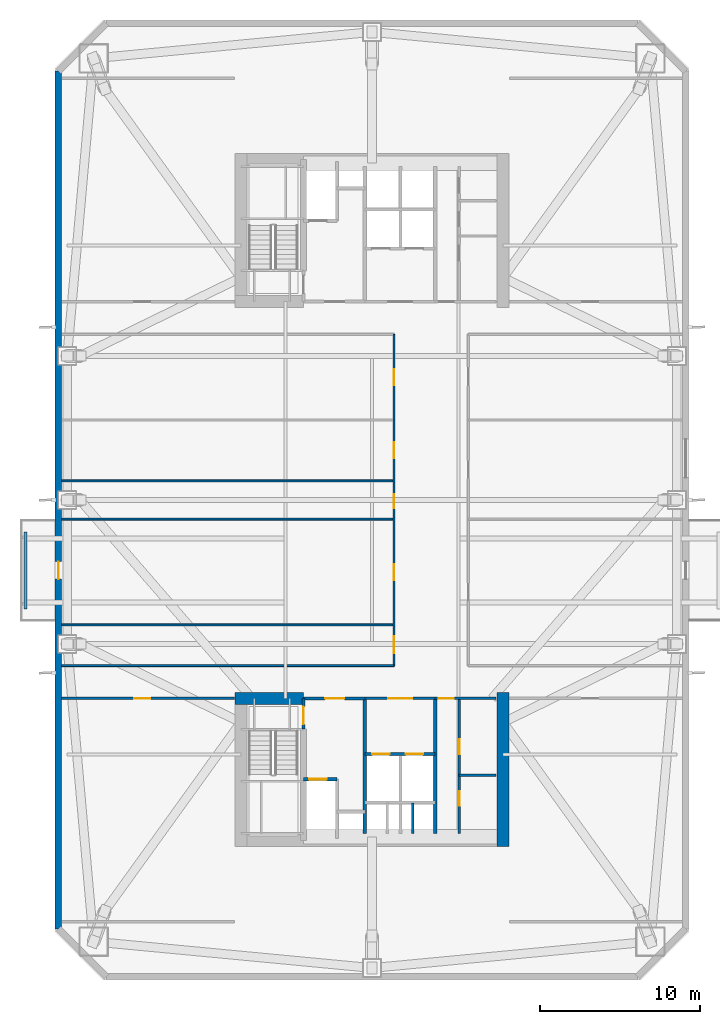
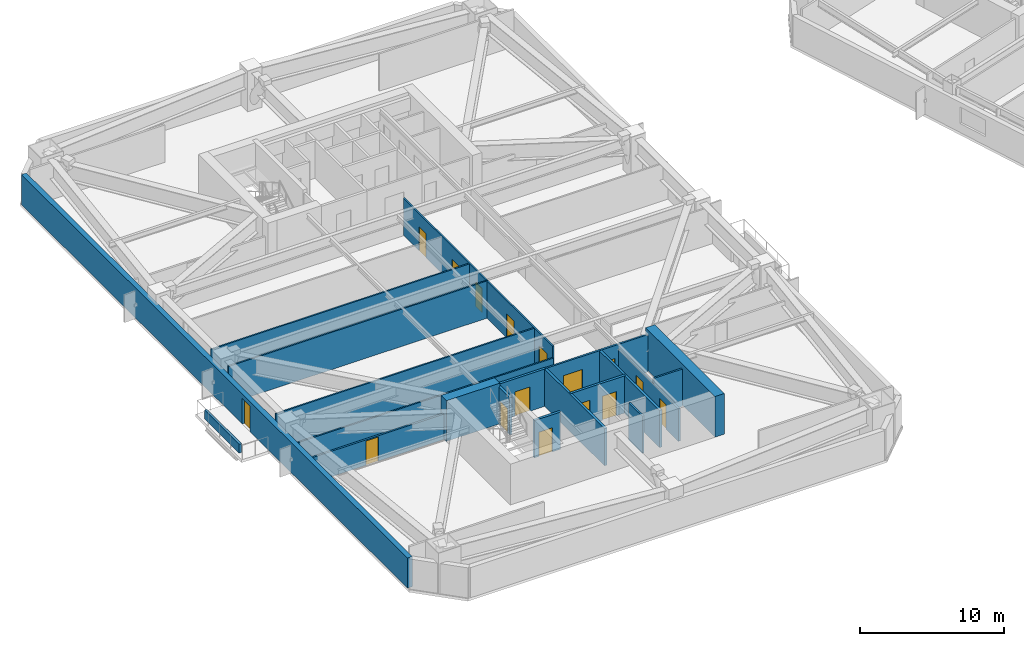
# One storey, part 6 of 19: 21 walls, 16 doors, 16 openings.
"""IFC4 building model written with IfcOpenShell, lengths in metres."""

from ifc_helpers import new_model, si_unit, direction, frame, frame_2d, origin, place, context, subcontext, project, spatial, rectangle, extrude, material, layer, layer_set, type_object, element, fill, save


model = new_model("IFC4")

# Units and contexts
model_context = context("Model", 3, precision=1e-05, world=origin(), true_north=direction((0.0, 1.0)))
body_context = subcontext(model_context, "Body", "Model", "MODEL_VIEW")
ifc_project = project(units=[si_unit("LENGTHUNIT", "METRE"), si_unit("AREAUNIT", "SQUARE_METRE"), si_unit("VOLUMEUNIT", "CUBIC_METRE"), si_unit("PLANEANGLEUNIT", "RADIAN"), si_unit("MASSUNIT", "GRAM", prefix="KILO")], contexts=[model_context])

# Site, building, storey
site_placement = place(None, origin())
site = spatial("IfcSite", under=ifc_project, at=site_placement, CompositionType="ELEMENT")
building_placement = place(site_placement, origin())
building = spatial("IfcBuilding", under=site, at=building_placement, Name="Qiaolan Cultural Towers", CompositionType="ELEMENT")
storey_placement = place(building_placement, frame((0.0, 0.0, 88.550048828125)))
storey = spatial("IfcBuildingStorey", under=building, at=storey_placement, Name="L22", CompositionType="ELEMENT", Elevation=88.550048828125)

# Walls
ifc_material_1 = material(Name="Concrete C60", Category="concrete")
ifc_layer_1 = layer(ifc_material_1, 0.75)
ifc_layer_set_1 = layer_set([ifc_layer_1], Name="Concrete C60")
wall_type_1 = type_object("IfcWallType", Name="WL-CORE-750", PredefinedType="SHEAR", material=ifc_layer_set_1)
wall_1_placement = place(storey_placement, frame((38.199951171875, 21.97509765625, 0.0), z_axis=(0.0, 0.0, 1.0), x_axis=(0.0, -1.0, 0.0)))
element("IfcWall", 1, at=wall_1_placement, inside=storey, type_object=wall_type_1, Name="L22 T1-CS East Core Shear Wall", PredefinedType="SHEAR", context=body_context, shape_type="SweptSolid", body=[
    extrude(rectangle(XDim=9.630126953125, YDim=0.75, at=frame_2d((4.81494140625, 0.0))), origin(), (0.0, 0.0, 1.0), 3.449951171875),
])
wall_2_placement = place(storey_placement, frame((21.425048828125, 21.60009765625, 0.0), z_axis=(0.0, 0.0, 1.0), x_axis=(1.0, 0.0, 0.0)))
element("IfcWall", 2, at=wall_2_placement, inside=storey, type_object=wall_type_1, Name="L22 T1-CS Stair Front Shear Wall", PredefinedType="SHEAR", context=body_context, shape_type="SweptSolid", body=[
    extrude(rectangle(XDim=4.294921875, YDim=0.75, at=frame_2d((2.1474609375, 0.0))), origin(), (0.0, 0.0, 1.0), 3.449951171875),
])

# Wall, opening, door
ifc_material_2 = material(Name="Precast Concrete C50 Honed Stone Pier", Category="masonry")
ifc_layer_2 = layer(ifc_material_2, 0.39990234375)
ifc_layer_set_2 = layer_set([ifc_layer_2], Name="Precast Concrete C50 Honed Stone Pier")
wall_type_2 = type_object("IfcWallType", Name="WL-EXT-PIER-400", PredefinedType="SOLIDWALL", material=ifc_layer_set_2)
wall_3_placement = place(storey_placement, frame((10.39990234375, 7.199951171875, 0.0), z_axis=(0.0, 0.0, 1.0), x_axis=(0.0, 1.0, 0.0)))
wall_3 = element("IfcWall", 3, at=wall_3_placement, inside=storey, type_object=wall_type_2, Name="L22 West Tower Precast Pier Facade Wall F1", PredefinedType="SOLIDWALL", context=body_context, shape_type="SweptSolid", body=[
    extrude(rectangle(XDim=53.60009765625, YDim=0.39990234375, at=frame_2d((26.800048828125, 0.0))), origin(), (0.0, 0.0, 1.0), 2.550048828125),
])
opening_1_placement = place(wall_3_placement, frame((21.85009765625, 0.0, 0.0)))
opening_1 = element("IfcOpeningElement", 4, at=opening_1_placement, cuts=wall_3, Name="Opening BD-01", PredefinedType="OPENING", context=body_context, shape_type="SweptSolid", body=[
    extrude(rectangle(XDim=1.10009765625, YDim=2.14990234375, at=frame_2d((0.550048828125, 1.074951171875))), frame((0.0, 0.2099609375, 0.0), z_axis=(0.0, -1.0, 0.0), x_axis=(1.0, 0.0, 0.0)), (0.0, 0.0, 1.0), 0.419921875),
])
ifc_material_3 = material(Name="Thermally Broken Aluminium Glazed Terrace Door", Category="aluminium")
door_type_1 = type_object("IfcDoorType", Name="DR-BAL-1100", OperationType="NOTDEFINED", PredefinedType="DOOR", material=ifc_material_3)
door_1_placement = place(opening_1_placement, origin())
door_1 = element("IfcDoor", 5, at=door_1_placement, inside=storey, type_object=door_type_1, Name="L22 T1 West Tree Balcony Door", OperationType="SINGLE_SWING_LEFT", OverallHeight=2.14990234375, OverallWidth=1.10009765625, PredefinedType="DOOR", context=body_context, shape_type="SweptSolid", body=[
    extrude(rectangle(XDim=1.10009765625, YDim=2.14990234375, at=frame_2d((0.550048828125, 1.074951171875))), frame((0.0, 0.02490234375, 0.0), z_axis=(0.0, -1.0, 0.0), x_axis=(1.0, 0.0, 0.0)), (0.0, 0.0, 1.0), 0.050048828125),
])
fill(opening_1, door_1)

ifc_material_4 = material(Name="Concrete C35 Fire Wall", Category="concrete")
ifc_layer_3 = layer(ifc_material_4, 0.199951171875)
ifc_layer_set_3 = layer_set([ifc_layer_3], Name="Concrete C35 Fire Wall")
wall_type_3 = type_object("IfcWallType", Name="WL-FIRE-200", PredefinedType="PARTITIONING", material=ifc_layer_set_3)
wall_4_placement = place(storey_placement, frame((25.719970703125, 21.60009765625, 0.0), z_axis=(0.0, 0.0, 1.0), x_axis=(0.0, -1.0, 0.0)))
wall_4 = element("IfcWall", 6, at=wall_4_placement, inside=storey, type_object=wall_type_3, Name="L22 T1-CS Smokeproof Stair Entry Wall", PredefinedType="PARTITIONING", context=body_context, shape_type="SweptSolid", body=[
    extrude(rectangle(XDim=1.900146484375, YDim=0.199951171875, at=frame_2d((0.9501953125, 0.0))), origin(), (0.0, 0.0, 1.0), 3.155029296875),
])
opening_2_placement = place(wall_4_placement, frame((0.52001953125, 0.0, 0.0)))
opening_2 = element("IfcOpeningElement", 7, at=opening_2_placement, cuts=wall_4, Name="Opening FD-04", PredefinedType="OPENING", context=body_context, shape_type="SweptSolid", body=[
    extrude(rectangle(XDim=1.10009765625, YDim=2.050048828125, at=frame_2d((0.550048828125, 1.02490234375))), frame((0.0, 0.10986328125, 0.0), z_axis=(0.0, -1.0, 0.0), x_axis=(1.0, 0.0, 0.0)), (0.0, 0.0, 1.0), 0.219970703125),
])
ifc_material_5 = material(Name="Galvanized Steel Command Fire Door", Category="steel")
door_type_2 = type_object("IfcDoorType", Name="DR-FD90-1100", OperationType="NOTDEFINED", PredefinedType="DOOR", material=ifc_material_5)
door_2_placement = place(opening_2_placement, origin())
door_2 = element("IfcDoor", 8, at=door_2_placement, inside=storey, type_object=door_type_2, Name="L22 ST-W1 Smokeproof Stair Fire Door", OperationType="SINGLE_SWING_LEFT", OverallHeight=2.050048828125, OverallWidth=1.10009765625, PredefinedType="DOOR", context=body_context, shape_type="SweptSolid", body=[
    extrude(rectangle(XDim=1.10009765625, YDim=2.050048828125, at=frame_2d((0.550048828125, 1.02490234375))), frame((0.0, 0.02490234375, 0.0), z_axis=(0.0, -1.0, 0.0), x_axis=(1.0, 0.0, 0.0)), (0.0, 0.0, 1.0), 0.050048828125),
])
fill(opening_2, door_2)

# Wall
wall_5_placement = place(storey_placement, frame((29.550048828125, 21.60009765625, 0.0), z_axis=(0.0, 0.0, 1.0), x_axis=(0.0, -1.0, 0.0)))
element("IfcWall", 9, at=wall_5_placement, inside=storey, type_object=wall_type_3, Name="L22 T1-CS Firefighting Zone Wall", PredefinedType="PARTITIONING", context=body_context, shape_type="SweptSolid", body=[
    extrude(rectangle(XDim=8.43017578125, YDim=0.199951171875, at=frame_2d((4.215087890625, 0.0))), origin(), (0.0, 0.0, 1.0), 3.155029296875),
])

# Wall, opening, door
wall_6_placement = place(storey_placement, frame((25.719970703125, 21.60009765625, 0.0), z_axis=(0.0, 0.0, 1.0), x_axis=(1.0, 0.0, 0.0)))
wall_6 = element("IfcWall", 10, at=wall_6_placement, inside=storey, type_object=wall_type_3, Name="L22 T1-CS Firefighting Lobby Front Wall", PredefinedType="PARTITIONING", context=body_context, shape_type="SweptSolid", body=[
    extrude(rectangle(XDim=3.830078125, YDim=0.199951171875, at=frame_2d((1.9150390625, 0.0))), origin(), (0.0, 0.0, 1.0), 3.155029296875),
])
opening_3_placement = place(wall_6_placement, frame((1.35009765625, 0.0, 0.0)))
opening_3 = element("IfcOpeningElement", 11, at=opening_3_placement, cuts=wall_6, Name="Opening FD-03", PredefinedType="OPENING", context=body_context, shape_type="SweptSolid", body=[
    extrude(rectangle(XDim=1.199951171875, YDim=2.050048828125, at=frame_2d((0.60009765625, 1.02490234375))), frame((0.0, 0.10986328125, 0.0), z_axis=(0.0, -1.0, 0.0), x_axis=(1.0, 0.0, 0.0)), (0.0, 0.0, 1.0), 0.219970703125),
])
ifc_material_6 = material(Name="Galvanized Steel Smokeproof Lobby Fire Door", Category="steel")
door_type_3 = type_object("IfcDoorType", Name="DR-FD90-1200", OperationType="NOTDEFINED", PredefinedType="DOOR", material=ifc_material_6)
door_3_placement = place(opening_3_placement, origin())
door_3 = element("IfcDoor", 12, at=door_3_placement, inside=storey, type_object=door_type_3, Name="L22 FFL-W1 Firefighting Lobby Fire Door", OperationType="SINGLE_SWING_LEFT", OverallHeight=2.050048828125, OverallWidth=1.199951171875, PredefinedType="DOOR", context=body_context, shape_type="SweptSolid", body=[
    extrude(rectangle(XDim=1.199951171875, YDim=2.050048828125, at=frame_2d((0.60009765625, 1.02490234375))), frame((0.0, 0.02490234375, 0.0), z_axis=(0.0, -1.0, 0.0), x_axis=(1.0, 0.0, 0.0)), (0.0, 0.0, 1.0), 0.050048828125),
])
fill(opening_3, door_3)

wall_7_placement = place(storey_placement, frame((25.719970703125, 16.550048828125, 0.0), z_axis=(0.0, 0.0, 1.0), x_axis=(1.0, 0.0, 0.0)))
wall_7 = element("IfcWall", 13, at=wall_7_placement, inside=storey, type_object=wall_type_3, Name="L22 T1-CS Firefighting Shaft Front Wall", PredefinedType="PARTITIONING", context=body_context, shape_type="SweptSolid", body=[
    extrude(rectangle(XDim=2.10009765625, YDim=0.199951171875, at=frame_2d((1.050048828125, 0.0))), origin(), (0.0, 0.0, 1.0), 3.155029296875),
])
opening_4_placement = place(wall_7_placement, frame((0.35009765625, 0.0, 0.0)))
opening_4 = element("IfcOpeningElement", 14, at=opening_4_placement, cuts=wall_7, Name="Opening LD-01", PredefinedType="OPENING", context=body_context, shape_type="SweptSolid", body=[
    extrude(rectangle(XDim=1.10009765625, YDim=2.050048828125, at=frame_2d((0.550048828125, 1.02490234375))), frame((0.0, 0.10986328125, 0.0), z_axis=(0.0, -1.0, 0.0), x_axis=(1.0, 0.0, 0.0)), (0.0, 0.0, 1.0), 0.219970703125),
])
ifc_material_7 = material(Name="Brushed Stainless Steel S30408 Centre-Parting Lift Landing Door", Category="steel")
door_type_4 = type_object("IfcDoorType", Name="DR-LIFT-1100", OperationType="NOTDEFINED", PredefinedType="DOOR", material=ifc_material_7)
door_4_placement = place(opening_4_placement, origin())
door_4 = element("IfcDoor", 15, at=door_4_placement, inside=storey, type_object=door_type_4, Name="L22 FFL-W1 Firefighting Lift Landing Door", OperationType="DOUBLE_DOOR_SLIDING", OverallHeight=2.050048828125, OverallWidth=1.10009765625, PredefinedType="DOOR", context=body_context, shape_type="SweptSolid", body=[
    extrude(rectangle(XDim=1.10009765625, YDim=2.050048828125, at=frame_2d((0.550048828125, 1.02490234375))), frame((0.0, 0.02490234375, 0.0), z_axis=(0.0, -1.0, 0.0), x_axis=(1.0, 0.0, 0.0)), (0.0, 0.0, 1.0), 0.050048828125),
])
fill(opening_4, door_4)

# Wall
wall_8_placement = place(storey_placement, frame((33.949951171875, 21.60009765625, 0.0), z_axis=(0.0, 0.0, 1.0), x_axis=(0.0, -1.0, 0.0)))
element("IfcWall", 16, at=wall_8_placement, inside=storey, type_object=wall_type_3, Name="L22 T1-CS Lift Core East Wall", PredefinedType="PARTITIONING", context=body_context, shape_type="SweptSolid", body=[
    extrude(rectangle(XDim=8.43017578125, YDim=0.199951171875, at=frame_2d((4.215087890625, 0.0))), origin(), (0.0, 0.0, 1.0), 3.155029296875),
])

# Wall, openings, doors
wall_9_placement = place(storey_placement, frame((29.550048828125, 18.1201171875, 0.0), z_axis=(0.0, 0.0, 1.0), x_axis=(1.0, 0.0, 0.0)))
wall_9 = element("IfcWall", 17, at=wall_9_placement, inside=storey, type_object=wall_type_3, Name="L22 T1-CS Passenger Lift Shaft Front Wall", PredefinedType="PARTITIONING", context=body_context, shape_type="SweptSolid", body=[
    extrude(rectangle(XDim=4.39990234375, YDim=0.199951171875, at=frame_2d((2.199951171875, 0.0))), origin(), (0.0, 0.0, 1.0), 3.155029296875),
])
opening_5_placement = place(wall_9_placement, frame((0.449951171875, 0.0, 0.0)))
opening_5 = element("IfcOpeningElement", 18, at=opening_5_placement, cuts=wall_9, Name="Opening LD-01", PredefinedType="OPENING", context=body_context, shape_type="SweptSolid", body=[
    extrude(rectangle(XDim=1.10009765625, YDim=2.050048828125, at=frame_2d((0.550048828125, 1.02490234375))), frame((0.0, 0.10986328125, 0.0), z_axis=(0.0, -1.0, 0.0), x_axis=(1.0, 0.0, 0.0)), (0.0, 0.0, 1.0), 0.219970703125),
])
opening_6_placement = place(wall_9_placement, frame((2.550048828125, 0.0, 0.0)))
opening_6 = element("IfcOpeningElement", 19, at=opening_6_placement, cuts=wall_9, Name="Opening LD-01", PredefinedType="OPENING", context=body_context, shape_type="SweptSolid", body=[
    extrude(rectangle(XDim=1.10009765625, YDim=2.050048828125, at=frame_2d((0.550048828125, 1.02490234375))), frame((0.0, 0.10986328125, 0.0), z_axis=(0.0, -1.0, 0.0), x_axis=(1.0, 0.0, 0.0)), (0.0, 0.0, 1.0), 0.219970703125),
])
door_5_placement = place(opening_5_placement, origin())
door_5 = element("IfcDoor", 20, at=door_5_placement, inside=storey, type_object=door_type_4, Name="L22 Passenger Lift 1 Landing Door", OperationType="DOUBLE_DOOR_SLIDING", OverallHeight=2.050048828125, OverallWidth=1.10009765625, PredefinedType="DOOR", context=body_context, shape_type="SweptSolid", body=[
    extrude(rectangle(XDim=1.10009765625, YDim=2.050048828125, at=frame_2d((0.550048828125, 1.02490234375))), frame((0.0, 0.02490234375, 0.0), z_axis=(0.0, -1.0, 0.0), x_axis=(1.0, 0.0, 0.0)), (0.0, 0.0, 1.0), 0.050048828125),
])
fill(opening_5, door_5)
door_6_placement = place(opening_6_placement, origin())
door_6 = element("IfcDoor", 21, at=door_6_placement, inside=storey, type_object=door_type_4, Name="L22 Passenger Lift 2 Landing Door", OperationType="DOUBLE_DOOR_SLIDING", OverallHeight=2.050048828125, OverallWidth=1.10009765625, PredefinedType="DOOR", context=body_context, shape_type="SweptSolid", body=[
    extrude(rectangle(XDim=1.10009765625, YDim=2.050048828125, at=frame_2d((0.550048828125, 1.02490234375))), frame((0.0, 0.02490234375, 0.0), z_axis=(0.0, -1.0, 0.0), x_axis=(1.0, 0.0, 0.0)), (0.0, 0.0, 1.0), 0.050048828125),
])
fill(opening_6, door_6)

# Wall
ifc_material_8 = material(Name="Gypsum Stud Acoustic Partition", Category="gypsum")
ifc_layer_4 = layer(ifc_material_8, 0.1201171875)
ifc_layer_set_4 = layer_set([ifc_layer_4], Name="Gypsum Stud Acoustic Partition")
wall_type_4 = type_object("IfcWallType", Name="WL-PART-120", PredefinedType="PARTITIONING", material=ifc_layer_set_4)
wall_10_placement = place(storey_placement, frame((10.60009765625, 23.64990234375, 0.0), z_axis=(0.0, 0.0, 1.0), x_axis=(1.0, 0.0, 0.0)))
element("IfcWall", 22, at=wall_10_placement, inside=storey, type_object=wall_type_4, Name="L22 T1 South Corridor Left Wall", PredefinedType="PARTITIONING", context=body_context, shape_type="SweptSolid", body=[
    extrude(rectangle(XDim=20.77490234375, YDim=0.1201171875, at=frame_2d((10.387451171875, 0.0))), origin(), (0.0, 0.0, 1.0), 2.14990234375),
])

# Wall, openings, doors
wall_11_placement = place(storey_placement, frame((31.375, 23.64990234375, 0.0), z_axis=(0.0, 0.0, 1.0), x_axis=(0.0, 1.0, 0.0)))
wall_11 = element("IfcWall", 23, at=wall_11_placement, inside=storey, type_object=wall_type_4, Name="L22 T1 West Spine Wall", PredefinedType="PARTITIONING", context=body_context, shape_type="SweptSolid", body=[
    extrude(rectangle(XDim=20.7001953125, YDim=0.1201171875, at=frame_2d((10.35009765625, 0.0))), origin(), (0.0, 0.0, 1.0), 3.155029296875),
])
opening_7_placement = place(wall_11_placement, frame((0.77490234375, 0.0, 0.0)))
opening_7 = element("IfcOpeningElement", 24, at=opening_7_placement, cuts=wall_11, Name="Opening ID-07", PredefinedType="OPENING", context=body_context, shape_type="SweptSolid", body=[
    extrude(rectangle(XDim=1.050048828125, YDim=2.050048828125, at=frame_2d((0.52490234375, 1.02490234375))), frame((0.0, 0.070068359375, 0.0), z_axis=(0.0, -1.0, 0.0), x_axis=(1.0, 0.0, 0.0)), (0.0, 0.0, 1.0), 0.14013671875),
])
opening_8_placement = place(wall_11_placement, frame((5.35009765625, 0.0, 0.0)))
opening_8 = element("IfcOpeningElement", 25, at=opening_8_placement, cuts=wall_11, Name="Opening ID-04", PredefinedType="OPENING", context=body_context, shape_type="SweptSolid", body=[
    extrude(rectangle(XDim=1.0, YDim=2.050048828125, at=frame_2d((0.5, 1.02490234375))), frame((0.0, 0.070068359375, 0.0), z_axis=(0.0, -1.0, 0.0), x_axis=(1.0, 0.0, 0.0)), (0.0, 0.0, 1.0), 0.14013671875),
])
opening_9_placement = place(wall_11_placement, frame((9.85009765625, 0.0, 0.0)))
opening_9 = element("IfcOpeningElement", 26, at=opening_9_placement, cuts=wall_11, Name="Opening ID-09", PredefinedType="OPENING", context=body_context, shape_type="SweptSolid", body=[
    extrude(rectangle(XDim=0.85009765625, YDim=2.050048828125, at=frame_2d((0.425048828125, 1.02490234375))), frame((0.0, 0.070068359375, 0.0), z_axis=(0.0, -1.0, 0.0), x_axis=(1.0, 0.0, 0.0)), (0.0, 0.0, 1.0), 0.14013671875),
])
opening_10_placement = place(wall_11_placement, frame((12.949951171875, 0.0, 0.0)))
opening_10 = element("IfcOpeningElement", 27, at=opening_10_placement, cuts=wall_11, Name="Opening ID-04", PredefinedType="OPENING", context=body_context, shape_type="SweptSolid", body=[
    extrude(rectangle(XDim=1.0, YDim=2.050048828125, at=frame_2d((0.5, 1.02490234375))), frame((0.0, 0.070068359375, 0.0), z_axis=(0.0, -1.0, 0.0), x_axis=(1.0, 0.0, 0.0)), (0.0, 0.0, 1.0), 0.14013671875),
])
opening_11_placement = place(wall_11_placement, frame((17.52490234375, 0.0, 0.0)))
opening_11 = element("IfcOpeningElement", 28, at=opening_11_placement, cuts=wall_11, Name="Opening ID-04", PredefinedType="OPENING", context=body_context, shape_type="SweptSolid", body=[
    extrude(rectangle(XDim=1.0, YDim=2.050048828125, at=frame_2d((0.5, 1.02490234375))), frame((0.0, 0.070068359375, 0.0), z_axis=(0.0, -1.0, 0.0), x_axis=(1.0, 0.0, 0.0)), (0.0, 0.0, 1.0), 0.14013671875),
])
ifc_material_9 = material(Name="Oak Veneer Acoustic Office Door", Category="timber")
door_type_5 = type_object("IfcDoorType", Name="DR-INT-1000", OperationType="NOTDEFINED", PredefinedType="DOOR", material=ifc_material_9)
door_7_placement = place(opening_8_placement, origin())
door_7 = element("IfcDoor", 29, at=door_7_placement, inside=storey, type_object=door_type_5, Name="L22 T1 Health & Ergonomics Room Door", OperationType="SINGLE_SWING_RIGHT", OverallHeight=2.050048828125, OverallWidth=1.0, PredefinedType="DOOR", context=body_context, shape_type="SweptSolid", body=[
    extrude(rectangle(XDim=1.0, YDim=2.050048828125, at=frame_2d((0.5, 1.02490234375))), frame((0.0, 0.02490234375, 0.0), z_axis=(0.0, -1.0, 0.0), x_axis=(1.0, 0.0, 0.0)), (0.0, 0.0, 1.0), 0.050048828125),
])
fill(opening_8, door_7)
door_8_placement = place(opening_10_placement, origin())
door_8 = element("IfcDoor", 30, at=door_8_placement, inside=storey, type_object=door_type_5, Name="L22 T1 Executive Office Door", OperationType="SINGLE_SWING_RIGHT", OverallHeight=2.050048828125, OverallWidth=1.0, PredefinedType="DOOR", context=body_context, shape_type="SweptSolid", body=[
    extrude(rectangle(XDim=1.0, YDim=2.050048828125, at=frame_2d((0.5, 1.02490234375))), frame((0.0, 0.02490234375, 0.0), z_axis=(0.0, -1.0, 0.0), x_axis=(1.0, 0.0, 0.0)), (0.0, 0.0, 1.0), 0.050048828125),
])
fill(opening_10, door_8)
door_9_placement = place(opening_11_placement, origin())
door_9 = element("IfcDoor", 31, at=door_9_placement, inside=storey, type_object=door_type_5, Name="L22 T1 Executive Office Door", OperationType="SINGLE_SWING_LEFT", OverallHeight=2.050048828125, OverallWidth=1.0, PredefinedType="DOOR", context=body_context, shape_type="SweptSolid", body=[
    extrude(rectangle(XDim=1.0, YDim=2.050048828125, at=frame_2d((0.5, 1.02490234375))), frame((0.0, 0.02490234375, 0.0), z_axis=(0.0, -1.0, 0.0), x_axis=(1.0, 0.0, 0.0)), (0.0, 0.0, 1.0), 0.050048828125),
])
fill(opening_11, door_9)
ifc_material_10 = material(Name="Oak Veneer Consultation Door", Category="timber")
door_type_6 = type_object("IfcDoorType", Name="DR-INT-1050", OperationType="NOTDEFINED", PredefinedType="DOOR", material=ifc_material_10)
door_10_placement = place(opening_7_placement, origin())
door_10 = element("IfcDoor", 32, at=door_10_placement, inside=storey, type_object=door_type_6, Name="L22 T1 Health & Ergonomics Room Door", OperationType="SINGLE_SWING_LEFT", OverallHeight=2.050048828125, OverallWidth=1.050048828125, PredefinedType="DOOR", context=body_context, shape_type="SweptSolid", body=[
    extrude(rectangle(XDim=1.050048828125, YDim=2.050048828125, at=frame_2d((0.52490234375, 1.02490234375))), frame((0.0, 0.02490234375, 0.0), z_axis=(0.0, -1.0, 0.0), x_axis=(1.0, 0.0, 0.0)), (0.0, 0.0, 1.0), 0.050048828125),
])
fill(opening_7, door_10)
ifc_material_11 = material(Name="Moisture-Resistant Laminate Utility Door", Category="timber")
door_type_7 = type_object("IfcDoorType", Name="DR-INT-850", OperationType="NOTDEFINED", PredefinedType="DOOR", material=ifc_material_11)
door_11_placement = place(opening_9_placement, origin())
door_11 = element("IfcDoor", 33, at=door_11_placement, inside=storey, type_object=door_type_7, Name="L22 T1 Health & Ergonomics Room Door", OperationType="SINGLE_SWING_LEFT", OverallHeight=2.050048828125, OverallWidth=0.85009765625, PredefinedType="DOOR", context=body_context, shape_type="SweptSolid", body=[
    extrude(rectangle(XDim=0.85009765625, YDim=2.050048828125, at=frame_2d((0.425048828125, 1.02490234375))), frame((0.0, 0.02490234375, 0.0), z_axis=(0.0, -1.0, 0.0), x_axis=(1.0, 0.0, 0.0)), (0.0, 0.0, 1.0), 0.050048828125),
])
fill(opening_9, door_11)

# Walls
for number, where, z_axis, x_axis, name in (
    (34, (10.60009765625, 26.199951171875, 0.0), (0.0, 0.0, 1.0), (1.0, 0.0, 0.0), "L22 T1 West Partition 1"),
    (35, (10.60009765625, 32.800048828125, 0.0), (0.0, 0.0, 1.0), (1.0, 0.0, 0.0), "L22 T1 West Partition 2"),
    (36, (10.60009765625, 35.199951171875, 0.0), (0.0, 0.0, 1.0), (1.0, 0.0, 0.0), "L22 T1 West Partition 3"),
):
    element("IfcWall", number, at=place(storey_placement, frame(where, z_axis=z_axis, x_axis=x_axis)), inside=storey, type_object=wall_type_4, Name=name, PredefinedType="PARTITIONING", context=body_context, shape_type="SweptSolid", body=[
        extrude(rectangle(XDim=20.77490234375, YDim=0.1201171875, at=frame_2d((10.387451171875, 0.0))), origin(), (0.0, 0.0, 1.0), 3.155029296875),
    ])

# Wall, opening, door
ifc_material_12 = material(Name="Autoclaved Aerated Concrete Block B06", Category="concrete")
ifc_layer_5 = layer(ifc_material_12, 0.14990234375)
ifc_layer_set_5 = layer_set([ifc_layer_5], Name="Autoclaved Aerated Concrete Block B06")
wall_type_5 = type_object("IfcWallType", Name="WL-PART-150", PredefinedType="PARTITIONING", material=ifc_layer_set_5)
wall_12_placement = place(storey_placement, frame((29.550048828125, 21.60009765625, 0.0), z_axis=(0.0, 0.0, 1.0), x_axis=(1.0, 0.0, 0.0)))
wall_12 = element("IfcWall", 37, at=wall_12_placement, inside=storey, type_object=wall_type_5, Name="L22 T1-CS Passenger Lift Lobby Front Wall", PredefinedType="PARTITIONING", context=body_context, shape_type="SweptSolid", body=[
    extrude(rectangle(XDim=4.39990234375, YDim=0.14990234375, at=frame_2d((2.199951171875, 0.0))), origin(), (0.0, 0.0, 1.0), 3.155029296875),
])
opening_12_placement = place(wall_12_placement, frame((1.449951171875, 0.0, 0.0)))
opening_12 = element("IfcOpeningElement", 38, at=opening_12_placement, cuts=wall_12, Name="Opening FD-05", PredefinedType="OPENING", context=body_context, shape_type="SweptSolid", body=[
    extrude(rectangle(XDim=1.5, YDim=2.050048828125, at=frame_2d((0.75, 1.02490234375))), frame((0.0, 0.0849609375, 0.0), z_axis=(0.0, -1.0, 0.0), x_axis=(1.0, 0.0, 0.0)), (0.0, 0.0, 1.0), 0.169921875),
])
ifc_material_13 = material(Name="Painted Steel Lift Lobby Fire Door", Category="steel")
door_type_8 = type_object("IfcDoorType", Name="DR-FD60-1500", OperationType="NOTDEFINED", PredefinedType="DOOR", material=ifc_material_13)
door_12_placement = place(opening_12_placement, origin())
door_12 = element("IfcDoor", 39, at=door_12_placement, inside=storey, type_object=door_type_8, Name="L22 Passenger Lift Lobby Entrance", OperationType="SINGLE_SWING_LEFT", OverallHeight=2.050048828125, OverallWidth=1.5, PredefinedType="DOOR", context=body_context, shape_type="SweptSolid", body=[
    extrude(rectangle(XDim=1.5, YDim=2.050048828125, at=frame_2d((0.75, 1.02490234375))), frame((0.0, 0.02490234375, 0.0), z_axis=(0.0, -1.0, 0.0), x_axis=(1.0, 0.0, 0.0)), (0.0, 0.0, 1.0), 0.050048828125),
])
fill(opening_12, door_12)

# Wall
wall_13_placement = place(storey_placement, frame((32.550048828125, 15.050048828125, 0.0), z_axis=(0.0, 0.0, 1.0), x_axis=(0.0, -1.0, 0.0)))
element("IfcWall", 40, at=wall_13_placement, inside=storey, type_object=wall_type_5, Name="L22 T1-CS Core Rear Split 2", PredefinedType="PARTITIONING", context=body_context, shape_type="SweptSolid", body=[
    extrude(rectangle(XDim=1.880126953125, YDim=0.14990234375, at=frame_2d((0.93994140625, 0.0))), origin(), (0.0, 0.0, 1.0), 3.155029296875),
])

# Wall, opening, door
wall_14_placement = place(storey_placement, frame((33.949951171875, 21.60009765625, 0.0), z_axis=(0.0, 0.0, 1.0), x_axis=(1.0, 0.0, 0.0)))
wall_14 = element("IfcWall", 41, at=wall_14_placement, inside=storey, type_object=wall_type_5, Name="L22 T1-CS Sanitary Core Front Wall", PredefinedType="PARTITIONING", context=body_context, shape_type="SweptSolid", body=[
    extrude(rectangle(XDim=3.800048828125, YDim=0.14990234375, at=frame_2d((1.89990234375, 0.0))), origin(), (0.0, 0.0, 1.0), 3.155029296875),
])
opening_13_placement = place(wall_14_placement, frame((0.219970703125, 0.0, 0.0)))
opening_13 = element("IfcOpeningElement", 42, at=opening_13_placement, cuts=wall_14, Name="Opening ID-05", PredefinedType="OPENING", context=body_context, shape_type="SweptSolid", body=[
    extrude(rectangle(XDim=0.949951171875, YDim=2.050048828125, at=frame_2d((0.47509765625, 1.02490234375))), frame((0.0, 0.0849609375, 0.0), z_axis=(0.0, -1.0, 0.0), x_axis=(1.0, 0.0, 0.0)), (0.0, 0.0, 1.0), 0.169921875),
])
ifc_material_14 = material(Name="Fire-Rated Laminate Accessible Core Door", Category="timber")
door_type_9 = type_object("IfcDoorType", Name="DR-INT-950", OperationType="NOTDEFINED", PredefinedType="DOOR", material=ifc_material_14)
door_13_placement = place(opening_13_placement, origin())
door_13 = element("IfcDoor", 43, at=door_13_placement, inside=storey, type_object=door_type_9, Name="L22 Sanitary Lobby Door", OperationType="SINGLE_SWING_LEFT", OverallHeight=2.050048828125, OverallWidth=0.949951171875, PredefinedType="DOOR", context=body_context, shape_type="SweptSolid", body=[
    extrude(rectangle(XDim=0.949951171875, YDim=2.050048828125, at=frame_2d((0.47509765625, 1.02490234375))), frame((0.0, 0.02490234375, 0.0), z_axis=(0.0, -1.0, 0.0), x_axis=(1.0, 0.0, 0.0)), (0.0, 0.0, 1.0), 0.050048828125),
])
fill(opening_13, door_13)

# Wall, openings, doors
wall_15_placement = place(storey_placement, frame((35.449951171875, 21.60009765625, 0.0), z_axis=(0.0, 0.0, 1.0), x_axis=(0.0, -1.0, 0.0)))
wall_15 = element("IfcWall", 44, at=wall_15_placement, inside=storey, type_object=wall_type_5, Name="L22 T1-CS Washroom Split Wall", PredefinedType="PARTITIONING", context=body_context, shape_type="SweptSolid", body=[
    extrude(rectangle(XDim=8.43017578125, YDim=0.14990234375, at=frame_2d((4.215087890625, 0.0))), origin(), (0.0, 0.0, 1.0), 2.744873046875),
])
opening_14_placement = place(wall_15_placement, frame((2.550048828125, 0.0, 0.0)))
opening_14 = element("IfcOpeningElement", 45, at=opening_14_placement, cuts=wall_15, Name="Opening ID-05", PredefinedType="OPENING", context=body_context, shape_type="SweptSolid", body=[
    extrude(rectangle(XDim=0.949951171875, YDim=2.050048828125, at=frame_2d((0.47509765625, 1.02490234375))), frame((0.0, 0.0849609375, 0.0), z_axis=(0.0, -1.0, 0.0), x_axis=(1.0, 0.0, 0.0)), (0.0, 0.0, 1.0), 0.169921875),
])
opening_15_placement = place(wall_15_placement, frame((5.800048828125, 0.0, 0.0)))
opening_15 = element("IfcOpeningElement", 46, at=opening_15_placement, cuts=wall_15, Name="Opening ID-06", PredefinedType="OPENING", context=body_context, shape_type="SweptSolid", body=[
    extrude(rectangle(XDim=0.89990234375, YDim=2.050048828125, at=frame_2d((0.449951171875, 1.02490234375))), frame((0.0, 0.0849609375, 0.0), z_axis=(0.0, -1.0, 0.0), x_axis=(1.0, 0.0, 0.0)), (0.0, 0.0, 1.0), 0.169921875),
])
ifc_material_15 = material(Name="Fire-Rated Laminate Core Service Door", Category="timber")
door_type_10 = type_object("IfcDoorType", Name="DR-INT-900", OperationType="NOTDEFINED", PredefinedType="DOOR", material=ifc_material_15)
door_14_placement = place(opening_15_placement, origin())
door_14 = element("IfcDoor", 47, at=door_14_placement, inside=storey, type_object=door_type_10, Name="L22 First-Aid Room Door", OperationType="SINGLE_SWING_RIGHT", OverallHeight=2.050048828125, OverallWidth=0.89990234375, PredefinedType="DOOR", context=body_context, shape_type="SweptSolid", body=[
    extrude(rectangle(XDim=0.89990234375, YDim=2.050048828125, at=frame_2d((0.449951171875, 1.02490234375))), frame((0.0, 0.02490234375, 0.0), z_axis=(0.0, -1.0, 0.0), x_axis=(1.0, 0.0, 0.0)), (0.0, 0.0, 1.0), 0.050048828125),
])
fill(opening_15, door_14)
door_15_placement = place(opening_14_placement, origin())
door_15 = element("IfcDoor", 48, at=door_15_placement, inside=storey, type_object=door_type_9, Name="L22 Accessible Washroom Door", OperationType="SINGLE_SWING_LEFT", OverallHeight=2.050048828125, OverallWidth=0.949951171875, PredefinedType="DOOR", context=body_context, shape_type="SweptSolid", body=[
    extrude(rectangle(XDim=0.949951171875, YDim=2.050048828125, at=frame_2d((0.47509765625, 1.02490234375))), frame((0.0, 0.02490234375, 0.0), z_axis=(0.0, -1.0, 0.0), x_axis=(1.0, 0.0, 0.0)), (0.0, 0.0, 1.0), 0.050048828125),
])
fill(opening_14, door_15)

# Wall
wall_16_placement = place(storey_placement, frame((35.449951171875, 16.800048828125, 0.0), z_axis=(0.0, 0.0, 1.0), x_axis=(1.0, 0.0, 0.0)))
element("IfcWall", 49, at=wall_16_placement, inside=storey, type_object=wall_type_5, Name="L22 T1-CS First-Aid Wall", PredefinedType="PARTITIONING", context=body_context, shape_type="SweptSolid", body=[
    extrude(rectangle(XDim=2.300048828125, YDim=0.14990234375, at=frame_2d((1.14990234375, 0.0))), origin(), (0.0, 0.0, 1.0), 3.155029296875),
])

# Wall, opening, door
wall_17_placement = place(storey_placement, frame((10.60009765625, 21.60009765625, 0.0), z_axis=(0.0, 0.0, 1.0), x_axis=(1.0, 0.0, 0.0)))
wall_17 = element("IfcWall", 50, at=wall_17_placement, inside=storey, type_object=wall_type_5, Name="L22 T1 Flank Front FLK-SW", PredefinedType="PARTITIONING", context=body_context, shape_type="SweptSolid", body=[
    extrude(rectangle(XDim=10.7998046875, YDim=0.14990234375, at=frame_2d((5.39990234375, 0.0))), origin(), (0.0, 0.0, 1.0), 2.14990234375),
])
opening_16_placement = place(wall_17_placement, frame((4.535888671875, 0.0, 0.0)))
opening_16 = element("IfcOpeningElement", 51, at=opening_16_placement, cuts=wall_17, Name="Opening ID-04", PredefinedType="OPENING", context=body_context, shape_type="SweptSolid", body=[
    extrude(rectangle(XDim=1.0, YDim=2.050048828125, at=frame_2d((0.5, 1.02490234375))), frame((0.0, 0.0849609375, 0.0), z_axis=(0.0, -1.0, 0.0), x_axis=(1.0, 0.0, 0.0)), (0.0, 0.0, 1.0), 0.169921875),
])
door_16_placement = place(opening_16_placement, origin())
door_16 = element("IfcDoor", 52, at=door_16_placement, inside=storey, type_object=door_type_5, Name="L22 T1 Corner Studio Door", OperationType="SINGLE_SWING_LEFT", OverallHeight=2.050048828125, OverallWidth=1.0, PredefinedType="DOOR", context=body_context, shape_type="SweptSolid", body=[
    extrude(rectangle(XDim=1.0, YDim=2.050048828125, at=frame_2d((0.5, 1.02490234375))), frame((0.0, 0.02490234375, 0.0), z_axis=(0.0, -1.0, 0.0), x_axis=(1.0, 0.0, 0.0)), (0.0, 0.0, 1.0), 0.050048828125),
])
fill(opening_16, door_16)

# Wall
ifc_material_16 = material(Name="Precast Concrete C45 Tree Planter Upstand", Category="concrete")
ifc_layer_6 = layer(ifc_material_16, 0.199951171875)
ifc_layer_set_6 = layer_set([ifc_layer_6], Name="Precast Concrete C45 Tree Planter Upstand")
wall_type_6 = type_object("IfcWallType", Name="WL-PLANTER-200", PredefinedType="PARAPET", material=ifc_layer_set_6)
wall_18_placement = place(storey_placement, frame((8.35009765625, 27.199951171875, 0.0), z_axis=(0.0, 0.0, 1.0), x_axis=(0.0, 1.0, 0.0)))
element("IfcWall", 53, at=wall_18_placement, inside=storey, type_object=wall_type_6, Name="L22 T1 Tree Balcony Soil Planter Box W", PredefinedType="PARAPET", context=body_context, shape_type="SweptSolid", body=[
    extrude(rectangle(XDim=4.800048828125, YDim=0.199951171875, at=frame_2d((2.39990234375, 0.0))), origin(), (0.0, 0.0, 1.0), 0.75),
])

save(model, "model.ifc")
